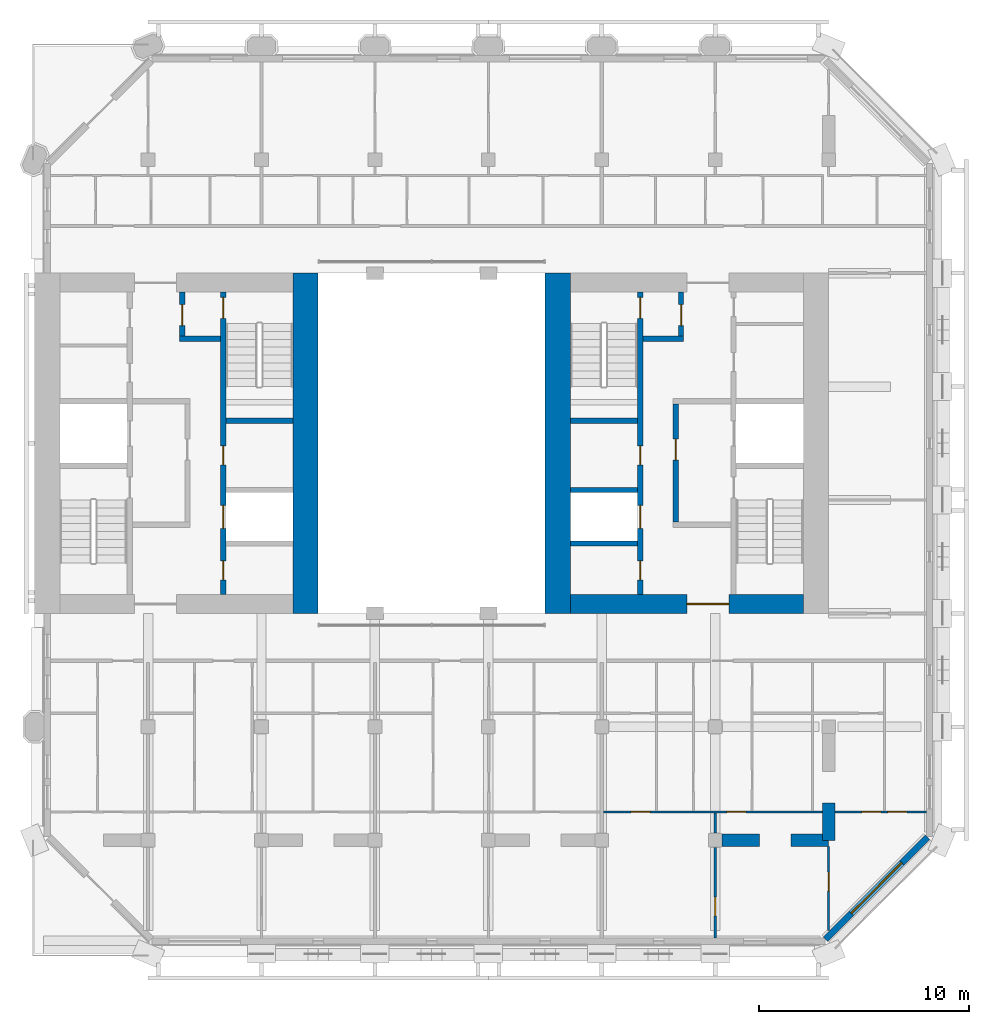
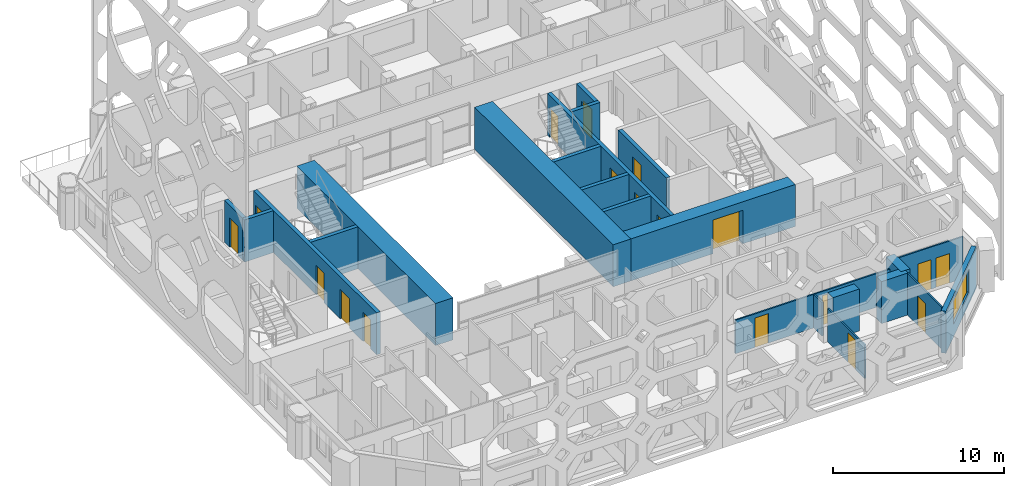
# One storey, part 8 of 15: 23 walls, 18 doors, 1 window, 19 openings.
"""IFC4 building model written with IfcOpenShell, lengths in metres."""

from ifc_helpers import new_model, si_unit, direction, frame, frame_2d, origin, place, context, subcontext, project, spatial, rectangle, extrude, material, layer, layer_set, type_object, element, fill, save


model = new_model("IFC4")

# Units and contexts
model_context = context("Model", 3, precision=1e-05, world=origin(), true_north=direction((0.0, 1.0)))
body_context = subcontext(model_context, "Body", "Model", "MODEL_VIEW")
ifc_project = project(units=[si_unit("LENGTHUNIT", "METRE"), si_unit("AREAUNIT", "SQUARE_METRE"), si_unit("VOLUMEUNIT", "CUBIC_METRE"), si_unit("PLANEANGLEUNIT", "RADIAN"), si_unit("MASSUNIT", "GRAM", prefix="KILO")], contexts=[model_context])

# Site, building, storey
site_placement = place(None, origin())
site = spatial("IfcSite", under=ifc_project, at=site_placement, CompositionType="ELEMENT")
building_placement = place(site_placement, origin())
building = spatial("IfcBuilding", under=site, at=building_placement, Name="Tabaq Tower and Sports Hall", CompositionType="ELEMENT")
storey_placement = place(building_placement, frame((0.0, 0.0, 265.300048828125)))
storey = spatial("IfcBuildingStorey", under=building, at=storey_placement, Name="L64", CompositionType="ELEMENT", Elevation=265.300048828125)

# Walls
ifc_material_1 = material(Name="Concrete C40/50", Category="concrete")
ifc_layer_1 = layer(ifc_material_1, 1.199951171875)
ifc_layer_set_1 = layer_set([ifc_layer_1], Name="Core wall 1200 Concrete C40/50")
wall_type_1 = type_object("IfcWallType", Name="Core wall 1200 Concrete C40/50", PredefinedType="SOLIDWALL", material=ifc_layer_set_1)
for number, where, z_axis, x_axis, name in (
    (1, (18.300048828125, 32.39990234375, 0.0), (0.0, 0.0, 1.0), (0.0, -1.0, 0.0), "Core wall W L64"),
    (2, (30.300048828125, 16.199951171875, 0.0), (0.0, 0.0, 1.0), (0.0, 1.0, 0.0), "Core wall E L64"),
):
    element("IfcWall", number, at=place(storey_placement, frame(where, z_axis=z_axis, x_axis=x_axis)), inside=storey, type_object=wall_type_1, Name=name, PredefinedType="SOLIDWALL", context=body_context, shape_type="SweptSolid", body=[
        extrude(rectangle(XDim=16.199951171875, YDim=1.199951171875, at=frame_2d((8.10009765625, 0.0))), origin(), (0.0, 0.0, 1.0), 3.0),
    ])

# Wall, opening, door
ifc_material_2 = material(Name="Concrete C40/50", Category="concrete")
ifc_layer_2 = layer(ifc_material_2, 0.89990234375)
ifc_layer_set_2 = layer_set([ifc_layer_2], Name="Core wall 900 Concrete C40/50")
wall_type_2 = type_object("IfcWallType", Name="Core wall 900 Concrete C40/50", PredefinedType="SOLIDWALL", material=ifc_layer_set_2)
wall_1_placement = place(storey_placement, frame((42.0, 16.64990234375, 0.0), z_axis=(0.0, 0.0, 1.0), x_axis=(-1.0, 0.0, 0.0)))
wall_1 = element("IfcWall", 3, at=wall_1_placement, inside=storey, type_object=wall_type_2, Name="Core wall E L64", PredefinedType="SOLIDWALL", context=body_context, shape_type="SweptSolid", body=[
    extrude(rectangle(XDim=11.10009765625, YDim=0.89990234375, at=frame_2d((5.550048828125, 0.0))), origin(), (0.0, 0.0, 1.0), 3.0),
])
opening_1_placement = place(wall_1_placement, frame((3.550048828125, 0.0, 0.0)))
opening_1 = element("IfcOpeningElement", 4, at=opening_1_placement, cuts=wall_1, Name="Opening PD-EL64-01", PredefinedType="OPENING", context=body_context, shape_type="SweptSolid", body=[
    extrude(rectangle(XDim=2.0, YDim=2.39990234375, at=frame_2d((1.0, 1.199951171875))), frame((0.0, 0.449951171875, 0.0), z_axis=(0.0, -1.0, 0.0), x_axis=(1.0, 0.0, 0.0)), (0.0, 0.0, 1.0), 0.89990234375),
])
ifc_material_3 = material(Name="Steel fire door", Category="steel")
door_type_1 = type_object("IfcDoorType", Name="Core entrance door 2000", OperationType="DOUBLE_DOOR_SINGLE_SWING", PredefinedType="DOOR", material=ifc_material_3)
door_1_placement = place(opening_1_placement, origin())
door_1 = element("IfcDoor", 5, at=door_1_placement, inside=storey, type_object=door_type_1, Name="Core entrance south E L64", OperationType="DOUBLE_DOOR_SINGLE_SWING", OverallHeight=2.39990234375, OverallWidth=2.0, PredefinedType="DOOR", context=body_context, shape_type="SweptSolid", body=[
    extrude(rectangle(XDim=2.0, YDim=2.39990234375, at=frame_2d((1.0, 1.199951171875))), frame((0.0, 0.02490234375, 0.0), z_axis=(0.0, -1.0, 0.0), x_axis=(1.0, 0.0, 0.0)), (0.0, 0.0, 1.0), 0.050048828125),
])
fill(opening_1, door_1)

# Wall, openings, doors
ifc_material_4 = material(Name="Gypsum board on steel studs", Category="steel")
ifc_layer_3 = layer(ifc_material_4, 0.10009765625)
ifc_layer_set_3 = layer_set([ifc_layer_3], Name="Partition 100 Gypsum board")
wall_type_3 = type_object("IfcWallType", Name="Partition 100 Gypsum board", PredefinedType="PARTITIONING", material=ifc_layer_set_3)
wall_2_placement = place(storey_placement, frame((42.89892578125, 6.75, 0.0), z_axis=(0.0, 0.0, 1.0), x_axis=(-1.0, 0.0, 0.0)))
wall_2 = element("IfcWall", 6, at=wall_2_placement, inside=storey, type_object=wall_type_3, Name="Partition wall L64", PredefinedType="PARTITIONING", context=body_context, shape_type="SweptSolid", body=[
    extrude(rectangle(XDim=10.423828125, YDim=0.10009765625, at=frame_2d((5.2119140625, 0.0))), origin(), (0.0, 0.0, 1.0), 2.39990234375),
])
opening_2_placement = place(wall_2_placement, frame((8.198974609375, 0.0, 0.0)))
opening_2 = element("IfcOpeningElement", 7, at=opening_2_placement, cuts=wall_2, Name="Opening L64-046", PredefinedType="OPENING", context=body_context, shape_type="SweptSolid", body=[
    extrude(rectangle(XDim=0.89990234375, YDim=2.10009765625, at=frame_2d((0.449951171875, 1.050048828125))), frame((0.0, 0.050048828125, 0.0), z_axis=(0.0, -1.0, 0.0), x_axis=(1.0, 0.0, 0.0)), (0.0, 0.0, 1.0), 0.10009765625),
])
opening_3_placement = place(wall_2_placement, frame((3.64306640625, 0.0, 0.0)))
opening_3 = element("IfcOpeningElement", 8, at=opening_3_placement, cuts=wall_2, Name="Opening L64-057", PredefinedType="OPENING", context=body_context, shape_type="SweptSolid", body=[
    extrude(rectangle(XDim=0.89990234375, YDim=2.10009765625, at=frame_2d((0.449951171875, 1.050048828125))), frame((0.0, 0.050048828125, 0.0), z_axis=(0.0, -1.0, 0.0), x_axis=(1.0, 0.0, 0.0)), (0.0, 0.0, 1.0), 0.10009765625),
])
ifc_material_5 = material(Name="Timber leaf in steel frame", Category="steel")
door_type_2 = type_object("IfcDoorType", Name="Internal door 900 left hand", OperationType="SINGLE_SWING_LEFT", PredefinedType="DOOR", material=ifc_material_5)
door_2_placement = place(opening_2_placement, origin())
door_2 = element("IfcDoor", 9, at=door_2_placement, inside=storey, type_object=door_type_2, Name="Internal door L64-046", OperationType="SINGLE_SWING_LEFT", OverallHeight=2.10009765625, OverallWidth=0.89990234375, PredefinedType="DOOR", context=body_context, shape_type="SweptSolid", body=[
    extrude(rectangle(XDim=0.89990234375, YDim=2.10009765625, at=frame_2d((0.449951171875, 1.050048828125))), frame((0.0, 0.02490234375, 0.0), z_axis=(0.0, -1.0, 0.0), x_axis=(1.0, 0.0, 0.0)), (0.0, 0.0, 1.0), 0.050048828125),
])
fill(opening_2, door_2)
door_3_placement = place(opening_3_placement, origin())
door_3 = element("IfcDoor", 10, at=door_3_placement, inside=storey, type_object=door_type_2, Name="Internal door L64-057", OperationType="SINGLE_SWING_LEFT", OverallHeight=2.10009765625, OverallWidth=0.89990234375, PredefinedType="DOOR", context=body_context, shape_type="SweptSolid", body=[
    extrude(rectangle(XDim=0.89990234375, YDim=2.10009765625, at=frame_2d((0.449951171875, 1.050048828125))), frame((0.0, 0.02490234375, 0.0), z_axis=(0.0, -1.0, 0.0), x_axis=(1.0, 0.0, 0.0)), (0.0, 0.0, 1.0), 0.050048828125),
])
fill(opening_3, door_3)

# Wall, opening, door
wall_3_placement = place(storey_placement, frame((37.800048828125, 0.7509765625, 0.0), z_axis=(0.0, 0.0, 1.0), x_axis=(0.0, 1.0, 0.0)))
wall_3 = element("IfcWall", 11, at=wall_3_placement, inside=storey, type_object=wall_type_3, Name="Partition wall L64", PredefinedType="PARTITIONING", context=body_context, shape_type="SweptSolid", body=[
    extrude(rectangle(XDim=4.303955078125, YDim=0.10009765625, at=frame_2d((2.15185546875, 0.0))), origin(), (0.0, 0.0, 1.0), 2.39990234375),
])
opening_4_placement = place(wall_3_placement, frame((1.049072265625, 0.0, 0.0)))
opening_4 = element("IfcOpeningElement", 12, at=opening_4_placement, cuts=wall_3, Name="Opening L64-045", PredefinedType="OPENING", context=body_context, shape_type="SweptSolid", body=[
    extrude(rectangle(XDim=0.89990234375, YDim=2.10009765625, at=frame_2d((0.449951171875, 1.050048828125))), frame((0.0, 0.050048828125, 0.0), z_axis=(0.0, -1.0, 0.0), x_axis=(1.0, 0.0, 0.0)), (0.0, 0.0, 1.0), 0.10009765625),
])
ifc_material_6 = material(Name="Timber leaf in steel frame", Category="steel")
door_type_3 = type_object("IfcDoorType", Name="Internal door 900 right hand", OperationType="SINGLE_SWING_RIGHT", PredefinedType="DOOR", material=ifc_material_6)
door_4_placement = place(opening_4_placement, origin())
door_4 = element("IfcDoor", 13, at=door_4_placement, inside=storey, type_object=door_type_3, Name="Internal door L64-045", OperationType="SINGLE_SWING_RIGHT", OverallHeight=2.10009765625, OverallWidth=0.89990234375, PredefinedType="DOOR", context=body_context, shape_type="SweptSolid", body=[
    extrude(rectangle(XDim=0.89990234375, YDim=2.10009765625, at=frame_2d((0.449951171875, 1.050048828125))), frame((0.0, 0.02490234375, 0.0), z_axis=(0.0, -1.0, 0.0), x_axis=(1.0, 0.0, 0.0)), (0.0, 0.0, 1.0), 0.050048828125),
])
fill(opening_4, door_4)

# Wall
wall_4_placement = place(storey_placement, frame((37.800048828125, 5.7451171875, 0.0), z_axis=(0.0, 0.0, 1.0), x_axis=(0.0, 1.0, 0.0)))
element("IfcWall", 14, at=wall_4_placement, inside=storey, type_object=wall_type_3, Name="Partition wall L64", PredefinedType="PARTITIONING", context=body_context, shape_type="SweptSolid", body=[
    extrude(rectangle(XDim=0.954833984375, YDim=0.10009765625, at=frame_2d((0.4775390625, 0.0))), origin(), (0.0, 0.0, 1.0), 2.39990234375),
])

# Wall, opening, door
wall_5_placement = place(storey_placement, frame((43.199951171875, 1.112060546875, 0.0), z_axis=(0.0, 0.0, 1.0), x_axis=(0.0, 1.0, 0.0)))
wall_5 = element("IfcWall", 15, at=wall_5_placement, inside=storey, type_object=wall_type_3, Name="Partition wall L64", PredefinedType="PARTITIONING", context=body_context, shape_type="SweptSolid", body=[
    extrude(rectangle(XDim=3.987060546875, YDim=0.10009765625, at=frame_2d((1.99365234375, 0.0))), origin(), (0.0, 0.0, 1.0), 3.0),
])
opening_5_placement = place(wall_5_placement, frame((1.869384765625, 0.0, 0.0)))
opening_5 = element("IfcOpeningElement", 16, at=opening_5_placement, cuts=wall_5, Name="Opening L64-056", PredefinedType="OPENING", context=body_context, shape_type="SweptSolid", body=[
    extrude(rectangle(XDim=0.89990234375, YDim=2.10009765625, at=frame_2d((0.449951171875, 1.050048828125))), frame((0.0, 0.050048828125, 0.0), z_axis=(0.0, -1.0, 0.0), x_axis=(1.0, 0.0, 0.0)), (0.0, 0.0, 1.0), 0.10009765625),
])
door_5_placement = place(opening_5_placement, origin())
door_5 = element("IfcDoor", 17, at=door_5_placement, inside=storey, type_object=door_type_2, Name="Internal door L64-056", OperationType="SINGLE_SWING_LEFT", OverallHeight=2.10009765625, OverallWidth=0.89990234375, PredefinedType="DOOR", context=body_context, shape_type="SweptSolid", body=[
    extrude(rectangle(XDim=0.89990234375, YDim=2.10009765625, at=frame_2d((0.449951171875, 1.050048828125))), frame((0.0, 0.02490234375, 0.0), z_axis=(0.0, -1.0, 0.0), x_axis=(1.0, 0.0, 0.0)), (0.0, 0.0, 1.0), 0.050048828125),
])
fill(opening_5, door_5)

# Wall, openings, doors
wall_6_placement = place(storey_placement, frame((47.84912109375, 6.75, 0.0), z_axis=(0.0, 0.0, 1.0), x_axis=(-1.0, 0.0, 0.0)))
wall_6 = element("IfcWall", 18, at=wall_6_placement, inside=storey, type_object=wall_type_3, Name="Partition wall L64", PredefinedType="PARTITIONING", context=body_context, shape_type="SweptSolid", body=[
    extrude(rectangle(XDim=4.34814453125, YDim=0.10009765625, at=frame_2d((2.174072265625, 0.0))), origin(), (0.0, 0.0, 1.0), 3.0),
])
opening_6_placement = place(wall_6_placement, frame((0.928955078125, 0.0, 0.0)))
opening_6 = element("IfcOpeningElement", 19, at=opening_6_placement, cuts=wall_6, Name="Opening L64-023", PredefinedType="OPENING", context=body_context, shape_type="SweptSolid", body=[
    extrude(rectangle(XDim=0.89990234375, YDim=2.10009765625, at=frame_2d((0.449951171875, 1.050048828125))), frame((0.0, 0.050048828125, 0.0), z_axis=(0.0, -1.0, 0.0), x_axis=(1.0, 0.0, 0.0)), (0.0, 0.0, 1.0), 0.10009765625),
])
opening_7_placement = place(wall_6_placement, frame((2.1689453125, 0.0, 0.0)))
opening_7 = element("IfcOpeningElement", 20, at=opening_7_placement, cuts=wall_6, Name="Opening L64-047", PredefinedType="OPENING", context=body_context, shape_type="SweptSolid", body=[
    extrude(rectangle(XDim=0.89990234375, YDim=2.10009765625, at=frame_2d((0.449951171875, 1.050048828125))), frame((0.0, 0.050048828125, 0.0), z_axis=(0.0, -1.0, 0.0), x_axis=(1.0, 0.0, 0.0)), (0.0, 0.0, 1.0), 0.10009765625),
])
door_6_placement = place(opening_6_placement, origin())
door_6 = element("IfcDoor", 21, at=door_6_placement, inside=storey, type_object=door_type_2, Name="Internal door L64-023", OperationType="SINGLE_SWING_LEFT", OverallHeight=2.10009765625, OverallWidth=0.89990234375, PredefinedType="DOOR", context=body_context, shape_type="SweptSolid", body=[
    extrude(rectangle(XDim=0.89990234375, YDim=2.10009765625, at=frame_2d((0.449951171875, 1.050048828125))), frame((0.0, 0.02490234375, 0.0), z_axis=(0.0, -1.0, 0.0), x_axis=(1.0, 0.0, 0.0)), (0.0, 0.0, 1.0), 0.050048828125),
])
fill(opening_6, door_6)
door_7_placement = place(opening_7_placement, origin())
door_7 = element("IfcDoor", 22, at=door_7_placement, inside=storey, type_object=door_type_3, Name="Internal door L64-047", OperationType="SINGLE_SWING_RIGHT", OverallHeight=2.10009765625, OverallWidth=0.89990234375, PredefinedType="DOOR", context=body_context, shape_type="SweptSolid", body=[
    extrude(rectangle(XDim=0.89990234375, YDim=2.10009765625, at=frame_2d((0.449951171875, 1.050048828125))), frame((0.0, 0.02490234375, 0.0), z_axis=(0.0, -1.0, 0.0), x_axis=(1.0, 0.0, 0.0)), (0.0, 0.0, 1.0), 0.050048828125),
])
fill(opening_7, door_7)

# Walls
ifc_material_7 = material(Name="Concrete C40/50", Category="concrete")
ifc_layer_4 = layer(ifc_material_7, 0.60009765625)
ifc_layer_set_4 = layer_set([ifc_layer_4], Name="RC TRANSFER WALL 600 C40/50")
wall_type_4 = type_object("IfcWallType", Name="RC TRANSFER WALL 600 C40/50", PredefinedType="SHEAR", material=ifc_layer_set_4)
for number, where, z_axis, x_axis, name in (
    (23, (43.199951171875, 5.39990234375, 0.0), (0.0, 0.0, 1.0), (0.0, 1.0, 0.0), "Transfer Wall L64 East 1"),
    (24, (38.125, 5.39990234375, 0.0), (0.0, 0.0, 1.0), (1.0, 0.0, 0.0), "Transfer Wall L64 South 11"),
):
    element("IfcWall", number, at=place(storey_placement, frame(where, z_axis=z_axis, x_axis=x_axis)), inside=storey, type_object=wall_type_4, Name=name, PredefinedType="SHEAR", context=body_context, shape_type="SweptSolid", body=[
        extrude(rectangle(XDim=1.78759765625, YDim=0.60009765625, at=frame_2d((0.893798828125, 0.0))), origin(), (0.0, 0.0, 1.0), 3.0),
    ])
wall_7_placement = place(storey_placement, frame((41.41259765625, 5.39990234375, 0.0), z_axis=(0.0, 0.0, 1.0), x_axis=(1.0, 0.0, 0.0)))
element("IfcWall", 25, at=wall_7_placement, inside=storey, type_object=wall_type_4, Name="Transfer Wall L64 South 12", PredefinedType="SHEAR", context=body_context, shape_type="SweptSolid", body=[
    extrude(rectangle(XDim=1.787353515625, YDim=0.60009765625, at=frame_2d((0.8935546875, 0.0))), origin(), (0.0, 0.0, 1.0), 3.0),
])

# Wall, openings, doors
ifc_material_8 = material(Name="Concrete C40/50", Category="concrete")
ifc_layer_5 = layer(ifc_material_8, 0.25)
ifc_layer_set_5 = layer_set([ifc_layer_5], Name="Shaft and stair wall 250 Concrete C40/50")
wall_type_5 = type_object("IfcWallType", Name="Shaft and stair wall 250 Concrete C40/50", PredefinedType="SOLIDWALL", material=ifc_layer_set_5)
wall_8_placement = place(storey_placement, frame((14.375, 17.10009765625, 0.0), z_axis=(0.0, 0.0, 1.0), x_axis=(0.0, 1.0, 0.0)))
wall_8 = element("IfcWall", 26, at=wall_8_placement, inside=storey, type_object=wall_type_5, Name="Shaft wall W L64", PredefinedType="SOLIDWALL", context=body_context, shape_type="SweptSolid", body=[
    extrude(rectangle(XDim=14.39990234375, YDim=0.25, at=frame_2d((7.199951171875, 0.0))), origin(), (0.0, 0.0, 1.0), 3.0),
])
opening_8_placement = place(wall_8_placement, frame((13.14990234375, 0.0, 0.0)))
opening_8 = element("IfcOpeningElement", 27, at=opening_8_placement, cuts=wall_8, Name="Opening SD-WL64-05", PredefinedType="OPENING", context=body_context, shape_type="SweptSolid", body=[
    extrude(rectangle(XDim=1.0, YDim=2.10009765625, at=frame_2d((0.5, 1.050048828125))), frame((0.0, 0.125, 0.0), z_axis=(0.0, -1.0, 0.0), x_axis=(1.0, 0.0, 0.0)), (0.0, 0.0, 1.0), 0.25),
])
opening_9_placement = place(wall_8_placement, frame((3.14990234375, 0.0, 0.0)))
opening_9 = element("IfcOpeningElement", 28, at=opening_9_placement, cuts=wall_8, Name="Opening LD-HR1-L64", PredefinedType="OPENING", context=body_context, shape_type="SweptSolid", body=[
    extrude(rectangle(XDim=1.10009765625, YDim=2.10009765625, at=frame_2d((0.550048828125, 1.050048828125))), frame((0.0, 0.125, 0.0), z_axis=(0.0, -1.0, 0.0), x_axis=(1.0, 0.0, 0.0)), (0.0, 0.0, 1.0), 0.25),
])
opening_10_placement = place(wall_8_placement, frame((0.699951171875, 0.0, 0.0)))
opening_10 = element("IfcOpeningElement", 29, at=opening_10_placement, cuts=wall_8, Name="Opening RD-WL64-11", PredefinedType="OPENING", context=body_context, shape_type="SweptSolid", body=[
    extrude(rectangle(XDim=0.89990234375, YDim=2.10009765625, at=frame_2d((0.449951171875, 1.050048828125))), frame((0.0, 0.125, 0.0), z_axis=(0.0, -1.0, 0.0), x_axis=(1.0, 0.0, 0.0)), (0.0, 0.0, 1.0), 0.25),
])
opening_11_placement = place(wall_8_placement, frame((6.175048828125, 0.0, 0.0)))
opening_11 = element("IfcOpeningElement", 30, at=opening_11_placement, cuts=wall_8, Name="Opening RD-WL64-12", PredefinedType="OPENING", context=body_context, shape_type="SweptSolid", body=[
    extrude(rectangle(XDim=0.89990234375, YDim=2.10009765625, at=frame_2d((0.449951171875, 1.050048828125))), frame((0.0, 0.125, 0.0), z_axis=(0.0, -1.0, 0.0), x_axis=(1.0, 0.0, 0.0)), (0.0, 0.0, 1.0), 0.25),
])
ifc_material_9 = material(Name="Steel fire door", Category="steel")
door_type_4 = type_object("IfcDoorType", Name="Core room door 900", OperationType="SINGLE_SWING_LEFT", PredefinedType="DOOR", material=ifc_material_9)
door_8_placement = place(opening_10_placement, origin())
door_8 = element("IfcDoor", 31, at=door_8_placement, inside=storey, type_object=door_type_4, Name="Door Electrical Riser Room W L64", OperationType="SINGLE_SWING_LEFT", OverallHeight=2.10009765625, OverallWidth=0.89990234375, PredefinedType="DOOR", context=body_context, shape_type="SweptSolid", body=[
    extrude(rectangle(XDim=0.89990234375, YDim=2.10009765625, at=frame_2d((0.449951171875, 1.050048828125))), frame((0.0, 0.02490234375, 0.0), z_axis=(0.0, -1.0, 0.0), x_axis=(1.0, 0.0, 0.0)), (0.0, 0.0, 1.0), 0.050048828125),
])
fill(opening_10, door_8)
door_9_placement = place(opening_11_placement, origin())
door_9 = element("IfcDoor", 32, at=door_9_placement, inside=storey, type_object=door_type_4, Name="Door Riser Room W L64", OperationType="SINGLE_SWING_LEFT", OverallHeight=2.10009765625, OverallWidth=0.89990234375, PredefinedType="DOOR", context=body_context, shape_type="SweptSolid", body=[
    extrude(rectangle(XDim=0.89990234375, YDim=2.10009765625, at=frame_2d((0.449951171875, 1.050048828125))), frame((0.0, 0.02490234375, 0.0), z_axis=(0.0, -1.0, 0.0), x_axis=(1.0, 0.0, 0.0)), (0.0, 0.0, 1.0), 0.050048828125),
])
fill(opening_11, door_9)
ifc_material_10 = material(Name="Stainless steel", Category="steel")
door_type_5 = type_object("IfcDoorType", Name="Lift landing door 1100", OperationType="DOUBLE_DOOR_SLIDING", PredefinedType="DOOR", material=ifc_material_10)
door_10_placement = place(opening_9_placement, origin())
door_10 = element("IfcDoor", 33, at=door_10_placement, inside=storey, type_object=door_type_5, Name="Lift landing door HR1 W L64", OperationType="DOUBLE_DOOR_SLIDING", OverallHeight=2.10009765625, OverallWidth=1.10009765625, PredefinedType="DOOR", context=body_context, shape_type="SweptSolid", body=[
    extrude(rectangle(XDim=1.10009765625, YDim=2.10009765625, at=frame_2d((0.550048828125, 1.050048828125))), frame((0.0, 0.02490234375, 0.0), z_axis=(0.0, -1.0, 0.0), x_axis=(1.0, 0.0, 0.0)), (0.0, 0.0, 1.0), 0.050048828125),
])
fill(opening_9, door_10)
ifc_material_11 = material(Name="Steel fire door", Category="steel")
door_type_6 = type_object("IfcDoorType", Name="Stair door 1000", OperationType="SINGLE_SWING_LEFT", PredefinedType="DOOR", material=ifc_material_11)
door_11_placement = place(opening_8_placement, origin())
door_11 = element("IfcDoor", 34, at=door_11_placement, inside=storey, type_object=door_type_6, Name="Stair door ST2 W L64", OperationType="SINGLE_SWING_LEFT", OverallHeight=2.10009765625, OverallWidth=1.0, PredefinedType="DOOR", context=body_context, shape_type="SweptSolid", body=[
    extrude(rectangle(XDim=1.0, YDim=2.10009765625, at=frame_2d((0.5, 1.050048828125))), frame((0.0, 0.02490234375, 0.0), z_axis=(0.0, -1.0, 0.0), x_axis=(1.0, 0.0, 0.0)), (0.0, 0.0, 1.0), 0.050048828125),
])
fill(opening_8, door_11)

# Wall
wall_9_placement = place(storey_placement, frame((14.5, 25.375, 0.0), z_axis=(0.0, 0.0, 1.0), x_axis=(1.0, 0.0, 0.0)))
element("IfcWall", 35, at=wall_9_placement, inside=storey, type_object=wall_type_5, Name="Stair enclosure wall W L64", PredefinedType="SOLIDWALL", context=body_context, shape_type="SweptSolid", body=[
    extrude(rectangle(XDim=3.199951171875, YDim=0.25, at=frame_2d((1.60009765625, 0.0))), origin(), (0.0, 0.0, 1.0), 3.0),
])

# Wall, opening, door
wall_10_placement = place(storey_placement, frame((12.425048828125, 29.39990234375, 0.0), z_axis=(0.0, 0.0, 1.0), x_axis=(0.0, 1.0, 0.0)))
wall_10 = element("IfcWall", 36, at=wall_10_placement, inside=storey, type_object=wall_type_5, Name="Fire-fighting lobby wall W L64", PredefinedType="SOLIDWALL", context=body_context, shape_type="SweptSolid", body=[
    extrude(rectangle(XDim=2.10009765625, YDim=0.25, at=frame_2d((1.050048828125, 0.0))), origin(), (0.0, 0.0, 1.0), 3.0),
])
opening_12_placement = place(wall_10_placement, frame((0.5, 0.0, 0.0)))
opening_12 = element("IfcOpeningElement", 37, at=opening_12_placement, cuts=wall_10, Name="Opening FD-WL64-06", PredefinedType="OPENING", context=body_context, shape_type="SweptSolid", body=[
    extrude(rectangle(XDim=1.0, YDim=2.10009765625, at=frame_2d((0.5, 1.050048828125))), frame((0.0, 0.125, 0.0), z_axis=(0.0, -1.0, 0.0), x_axis=(1.0, 0.0, 0.0)), (0.0, 0.0, 1.0), 0.25),
])
ifc_material_12 = material(Name="Steel fire door", Category="steel")
door_type_7 = type_object("IfcDoorType", Name="Fire-fighting lobby door 1000", OperationType="SINGLE_SWING_LEFT", PredefinedType="DOOR", material=ifc_material_12)
door_12_placement = place(opening_12_placement, origin())
door_12 = element("IfcDoor", 38, at=door_12_placement, inside=storey, type_object=door_type_7, Name="Stair lobby door W L64", OperationType="SINGLE_SWING_LEFT", OverallHeight=2.10009765625, OverallWidth=1.0, PredefinedType="DOOR", context=body_context, shape_type="SweptSolid", body=[
    extrude(rectangle(XDim=1.0, YDim=2.10009765625, at=frame_2d((0.5, 1.050048828125))), frame((0.0, 0.02490234375, 0.0), z_axis=(0.0, -1.0, 0.0), x_axis=(1.0, 0.0, 0.0)), (0.0, 0.0, 1.0), 0.050048828125),
])
fill(opening_12, door_12)

# Wall
wall_11_placement = place(storey_placement, frame((12.300048828125, 29.27490234375, 0.0), z_axis=(0.0, 0.0, 1.0), x_axis=(1.0, 0.0, 0.0)))
element("IfcWall", 39, at=wall_11_placement, inside=storey, type_object=wall_type_5, Name="Fire-fighting lobby wall W L64", PredefinedType="SOLIDWALL", context=body_context, shape_type="SweptSolid", body=[
    extrude(rectangle(XDim=1.949951171875, YDim=0.25, at=frame_2d((0.97509765625, 0.0))), origin(), (0.0, 0.0, 1.0), 3.0),
])

# Wall, openings, doors
wall_12_placement = place(storey_placement, frame((34.22509765625, 17.10009765625, 0.0), z_axis=(0.0, 0.0, 1.0), x_axis=(0.0, 1.0, 0.0)))
wall_12 = element("IfcWall", 40, at=wall_12_placement, inside=storey, type_object=wall_type_5, Name="Shaft wall E L64", PredefinedType="SOLIDWALL", context=body_context, shape_type="SweptSolid", body=[
    extrude(rectangle(XDim=14.39990234375, YDim=0.25, at=frame_2d((7.199951171875, 0.0))), origin(), (0.0, 0.0, 1.0), 3.0),
])
opening_13_placement = place(wall_12_placement, frame((13.14990234375, 0.0, 0.0)))
opening_13 = element("IfcOpeningElement", 41, at=opening_13_placement, cuts=wall_12, Name="Opening SD-EL64-05", PredefinedType="OPENING", context=body_context, shape_type="SweptSolid", body=[
    extrude(rectangle(XDim=1.0, YDim=2.10009765625, at=frame_2d((0.5, 1.050048828125))), frame((0.0, 0.125, 0.0), z_axis=(0.0, -1.0, 0.0), x_axis=(1.0, 0.0, 0.0)), (0.0, 0.0, 1.0), 0.25),
])
opening_14_placement = place(wall_12_placement, frame((3.14990234375, 0.0, 0.0)))
opening_14 = element("IfcOpeningElement", 42, at=opening_14_placement, cuts=wall_12, Name="Opening LD-HR2-L64", PredefinedType="OPENING", context=body_context, shape_type="SweptSolid", body=[
    extrude(rectangle(XDim=1.10009765625, YDim=2.10009765625, at=frame_2d((0.550048828125, 1.050048828125))), frame((0.0, 0.125, 0.0), z_axis=(0.0, -1.0, 0.0), x_axis=(1.0, 0.0, 0.0)), (0.0, 0.0, 1.0), 0.25),
])
opening_15_placement = place(wall_12_placement, frame((0.699951171875, 0.0, 0.0)))
opening_15 = element("IfcOpeningElement", 43, at=opening_15_placement, cuts=wall_12, Name="Opening RD-EL64-11", PredefinedType="OPENING", context=body_context, shape_type="SweptSolid", body=[
    extrude(rectangle(XDim=0.89990234375, YDim=2.10009765625, at=frame_2d((0.449951171875, 1.050048828125))), frame((0.0, 0.125, 0.0), z_axis=(0.0, -1.0, 0.0), x_axis=(1.0, 0.0, 0.0)), (0.0, 0.0, 1.0), 0.25),
])
opening_16_placement = place(wall_12_placement, frame((6.175048828125, 0.0, 0.0)))
opening_16 = element("IfcOpeningElement", 44, at=opening_16_placement, cuts=wall_12, Name="Opening RD-EL64-12", PredefinedType="OPENING", context=body_context, shape_type="SweptSolid", body=[
    extrude(rectangle(XDim=0.89990234375, YDim=2.10009765625, at=frame_2d((0.449951171875, 1.050048828125))), frame((0.0, 0.125, 0.0), z_axis=(0.0, -1.0, 0.0), x_axis=(1.0, 0.0, 0.0)), (0.0, 0.0, 1.0), 0.25),
])
door_13_placement = place(opening_15_placement, origin())
door_13 = element("IfcDoor", 45, at=door_13_placement, inside=storey, type_object=door_type_4, Name="Door Electrical Riser Room E L64", OperationType="SINGLE_SWING_LEFT", OverallHeight=2.10009765625, OverallWidth=0.89990234375, PredefinedType="DOOR", context=body_context, shape_type="SweptSolid", body=[
    extrude(rectangle(XDim=0.89990234375, YDim=2.10009765625, at=frame_2d((0.449951171875, 1.050048828125))), frame((0.0, 0.02490234375, 0.0), z_axis=(0.0, -1.0, 0.0), x_axis=(1.0, 0.0, 0.0)), (0.0, 0.0, 1.0), 0.050048828125),
])
fill(opening_15, door_13)
door_14_placement = place(opening_16_placement, origin())
door_14 = element("IfcDoor", 46, at=door_14_placement, inside=storey, type_object=door_type_4, Name="Door Riser Room E L64", OperationType="SINGLE_SWING_LEFT", OverallHeight=2.10009765625, OverallWidth=0.89990234375, PredefinedType="DOOR", context=body_context, shape_type="SweptSolid", body=[
    extrude(rectangle(XDim=0.89990234375, YDim=2.10009765625, at=frame_2d((0.449951171875, 1.050048828125))), frame((0.0, 0.02490234375, 0.0), z_axis=(0.0, -1.0, 0.0), x_axis=(1.0, 0.0, 0.0)), (0.0, 0.0, 1.0), 0.050048828125),
])
fill(opening_16, door_14)
door_15_placement = place(opening_14_placement, origin())
door_15 = element("IfcDoor", 47, at=door_15_placement, inside=storey, type_object=door_type_5, Name="Lift landing door HR2 E L64", OperationType="DOUBLE_DOOR_SLIDING", OverallHeight=2.10009765625, OverallWidth=1.10009765625, PredefinedType="DOOR", context=body_context, shape_type="SweptSolid", body=[
    extrude(rectangle(XDim=1.10009765625, YDim=2.10009765625, at=frame_2d((0.550048828125, 1.050048828125))), frame((0.0, 0.02490234375, 0.0), z_axis=(0.0, -1.0, 0.0), x_axis=(1.0, 0.0, 0.0)), (0.0, 0.0, 1.0), 0.050048828125),
])
fill(opening_14, door_15)
door_16_placement = place(opening_13_placement, origin())
door_16 = element("IfcDoor", 48, at=door_16_placement, inside=storey, type_object=door_type_6, Name="Stair door ST4 E L64", OperationType="SINGLE_SWING_LEFT", OverallHeight=2.10009765625, OverallWidth=1.0, PredefinedType="DOOR", context=body_context, shape_type="SweptSolid", body=[
    extrude(rectangle(XDim=1.0, YDim=2.10009765625, at=frame_2d((0.5, 1.050048828125))), frame((0.0, 0.02490234375, 0.0), z_axis=(0.0, -1.0, 0.0), x_axis=(1.0, 0.0, 0.0)), (0.0, 0.0, 1.0), 0.050048828125),
])
fill(opening_13, door_16)

# Walls
for number, where, z_axis, x_axis, name in (
    (49, (30.89990234375, 25.375, 0.0), (0.0, 0.0, 1.0), (1.0, 0.0, 0.0), "Stair enclosure wall E L64"),
    (50, (30.89990234375, 22.074951171875, 0.0), (0.0, 0.0, 1.0), (1.0, 0.0, 0.0), "Shaft wall E L64"),
):
    element("IfcWall", number, at=place(storey_placement, frame(where, z_axis=z_axis, x_axis=x_axis)), inside=storey, type_object=wall_type_5, Name=name, PredefinedType="SOLIDWALL", context=body_context, shape_type="SweptSolid", body=[
        extrude(rectangle(XDim=3.2001953125, YDim=0.25, at=frame_2d((1.60009765625, 0.0))), origin(), (0.0, 0.0, 1.0), 3.0),
    ])

# Wall, opening, door
wall_13_placement = place(storey_placement, frame((36.175048828125, 29.39990234375, 0.0), z_axis=(0.0, 0.0, 1.0), x_axis=(0.0, 1.0, 0.0)))
wall_13 = element("IfcWall", 51, at=wall_13_placement, inside=storey, type_object=wall_type_5, Name="Fire-fighting lobby wall E L64", PredefinedType="SOLIDWALL", context=body_context, shape_type="SweptSolid", body=[
    extrude(rectangle(XDim=2.10009765625, YDim=0.25, at=frame_2d((1.050048828125, 0.0))), origin(), (0.0, 0.0, 1.0), 3.0),
])
opening_17_placement = place(wall_13_placement, frame((0.5, 0.0, 0.0)))
opening_17 = element("IfcOpeningElement", 52, at=opening_17_placement, cuts=wall_13, Name="Opening FD-EL64-06", PredefinedType="OPENING", context=body_context, shape_type="SweptSolid", body=[
    extrude(rectangle(XDim=1.0, YDim=2.10009765625, at=frame_2d((0.5, 1.050048828125))), frame((0.0, 0.125, 0.0), z_axis=(0.0, -1.0, 0.0), x_axis=(1.0, 0.0, 0.0)), (0.0, 0.0, 1.0), 0.25),
])
door_17_placement = place(opening_17_placement, origin())
door_17 = element("IfcDoor", 53, at=door_17_placement, inside=storey, type_object=door_type_7, Name="Stair lobby door E L64", OperationType="SINGLE_SWING_LEFT", OverallHeight=2.10009765625, OverallWidth=1.0, PredefinedType="DOOR", context=body_context, shape_type="SweptSolid", body=[
    extrude(rectangle(XDim=1.0, YDim=2.10009765625, at=frame_2d((0.5, 1.050048828125))), frame((0.0, 0.02490234375, 0.0), z_axis=(0.0, -1.0, 0.0), x_axis=(1.0, 0.0, 0.0)), (0.0, 0.0, 1.0), 0.050048828125),
])
fill(opening_17, door_17)

# Wall
wall_14_placement = place(storey_placement, frame((34.35009765625, 29.27490234375, 0.0), z_axis=(0.0, 0.0, 1.0), x_axis=(1.0, 0.0, 0.0)))
element("IfcWall", 54, at=wall_14_placement, inside=storey, type_object=wall_type_5, Name="Fire-fighting lobby wall E L64", PredefinedType="SOLIDWALL", context=body_context, shape_type="SweptSolid", body=[
    extrude(rectangle(XDim=1.949951171875, YDim=0.25, at=frame_2d((0.97509765625, 0.0))), origin(), (0.0, 0.0, 1.0), 3.0),
])

# Wall, opening, door
wall_15_placement = place(storey_placement, frame((35.925048828125, 20.550048828125, 0.0), z_axis=(0.0, 0.0, 1.0), x_axis=(0.0, 1.0, 0.0)))
wall_15 = element("IfcWall", 55, at=wall_15_placement, inside=storey, type_object=wall_type_5, Name="Fire-fighting lobby wall E L64", PredefinedType="SOLIDWALL", context=body_context, shape_type="SweptSolid", body=[
    extrude(rectangle(XDim=5.625, YDim=0.25, at=frame_2d((2.8125, 0.0))), origin(), (0.0, 0.0, 1.0), 3.0),
])
opening_18_placement = place(wall_15_placement, frame((2.949951171875, 0.0, 0.0)))
opening_18 = element("IfcOpeningElement", 56, at=opening_18_placement, cuts=wall_15, Name="Opening FD-EL64-04", PredefinedType="OPENING", context=body_context, shape_type="SweptSolid", body=[
    extrude(rectangle(XDim=1.0, YDim=2.10009765625, at=frame_2d((0.5, 1.050048828125))), frame((0.0, 0.125, 0.0), z_axis=(0.0, -1.0, 0.0), x_axis=(1.0, 0.0, 0.0)), (0.0, 0.0, 1.0), 0.25),
])
door_18_placement = place(opening_18_placement, origin())
door_18 = element("IfcDoor", 57, at=door_18_placement, inside=storey, type_object=door_type_7, Name="Fire-fighting lobby door E L64", OperationType="SINGLE_SWING_LEFT", OverallHeight=2.10009765625, OverallWidth=1.0, PredefinedType="DOOR", context=body_context, shape_type="SweptSolid", body=[
    extrude(rectangle(XDim=1.0, YDim=2.10009765625, at=frame_2d((0.5, 1.050048828125))), frame((0.0, 0.02490234375, 0.0), z_axis=(0.0, -1.0, 0.0), x_axis=(1.0, 0.0, 0.0)), (0.0, 0.0, 1.0), 0.050048828125),
])
fill(opening_18, door_18)

# Wall
wall_16_placement = place(storey_placement, frame((30.89990234375, 19.52490234375, 0.0), z_axis=(0.0, 0.0, 1.0), x_axis=(1.0, 0.0, 0.0)))
element("IfcWall", 58, at=wall_16_placement, inside=storey, type_object=wall_type_5, Name="Shaft wall E L64", PredefinedType="SOLIDWALL", context=body_context, shape_type="SweptSolid", body=[
    extrude(rectangle(XDim=3.2001953125, YDim=0.25, at=frame_2d((1.60009765625, 0.0))), origin(), (0.0, 0.0, 1.0), 3.0),
])

# Wall, opening, window
ifc_material_13 = material(Name="White precast concrete C60/75", Category="concrete")
ifc_layer_6 = layer(ifc_material_13, 0.300048828125)
ifc_layer_set_6 = layer_set([ifc_layer_6], Name="White precast concrete C60/75 external wall 300")
wall_type_6 = type_object("IfcWallType", Name="White precast concrete C60/75 external wall 300", PredefinedType="SOLIDWALL", material=ifc_layer_set_6)
wall_17_placement = place(storey_placement, frame((43.050537109375, 0.698974609375, 0.0), z_axis=(0.0, 0.0, 1.0), x_axis=(0.707106781187, 0.707106781187, 0.0)))
wall_17 = element("IfcWall", 59, at=wall_17_placement, inside=storey, type_object=wall_type_6, Name="External Wall L64 SE", PredefinedType="SOLIDWALL", context=body_context, shape_type="SweptSolid", body=[
    extrude(rectangle(XDim=6.85986328125, YDim=0.300048828125, at=frame_2d((3.429931640625, 0.0))), origin(), (0.0, 0.0, 1.0), 3.0),
])
opening_19_placement = place(wall_17_placement, frame((1.729736328125, 0.0, 0.89990234375)))
opening_19 = element("IfcOpeningElement", 60, at=opening_19_placement, cuts=wall_17, Name="Opening W1A", PredefinedType="OPENING", context=body_context, shape_type="SweptSolid", body=[
    extrude(rectangle(XDim=3.39990234375, YDim=1.699951171875, at=frame_2d((1.699951171875, 0.85009765625))), frame((0.0, 0.16015625, 0.0), z_axis=(0.0, -1.0, 0.0), x_axis=(1.0, 0.0, 0.0)), (0.0, 0.0, 1.0), 0.320068359375),
])
ifc_material_14 = material(Name="Aluminium framed clear glazing", Category="aluminium")
window_type = type_object("IfcWindowType", Name="Window W1A", PartitioningType="SINGLE_PANEL", PredefinedType="WINDOW", material=ifc_material_14)
window_placement = place(opening_19_placement, origin())
window = element("IfcWindow", 61, at=window_placement, inside=storey, type_object=window_type, Name="Window W1A L64", OverallHeight=1.699951171875, OverallWidth=3.39990234375, PartitioningType="SINGLE_PANEL", PredefinedType="WINDOW", context=body_context, shape_type="SweptSolid", body=[
    extrude(rectangle(XDim=3.39990234375, YDim=1.699951171875, at=frame_2d((1.699951171875, 0.85009765625))), frame((0.0, 0.030029296875, 0.0), z_axis=(0.0, -1.0, 0.0), x_axis=(1.0, 0.0, 0.0)), (0.0, 0.0, 1.0), 0.06005859375),
])
fill(opening_19, window)

save(model, "model.ifc")
